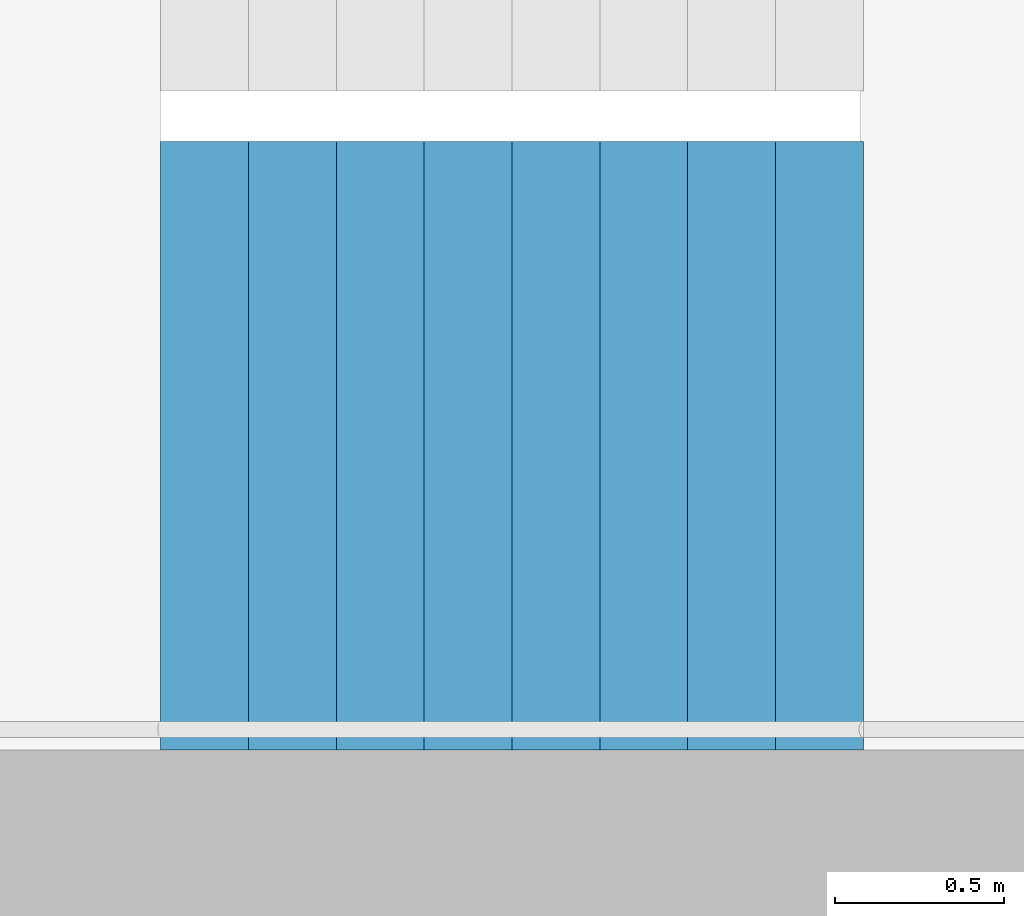
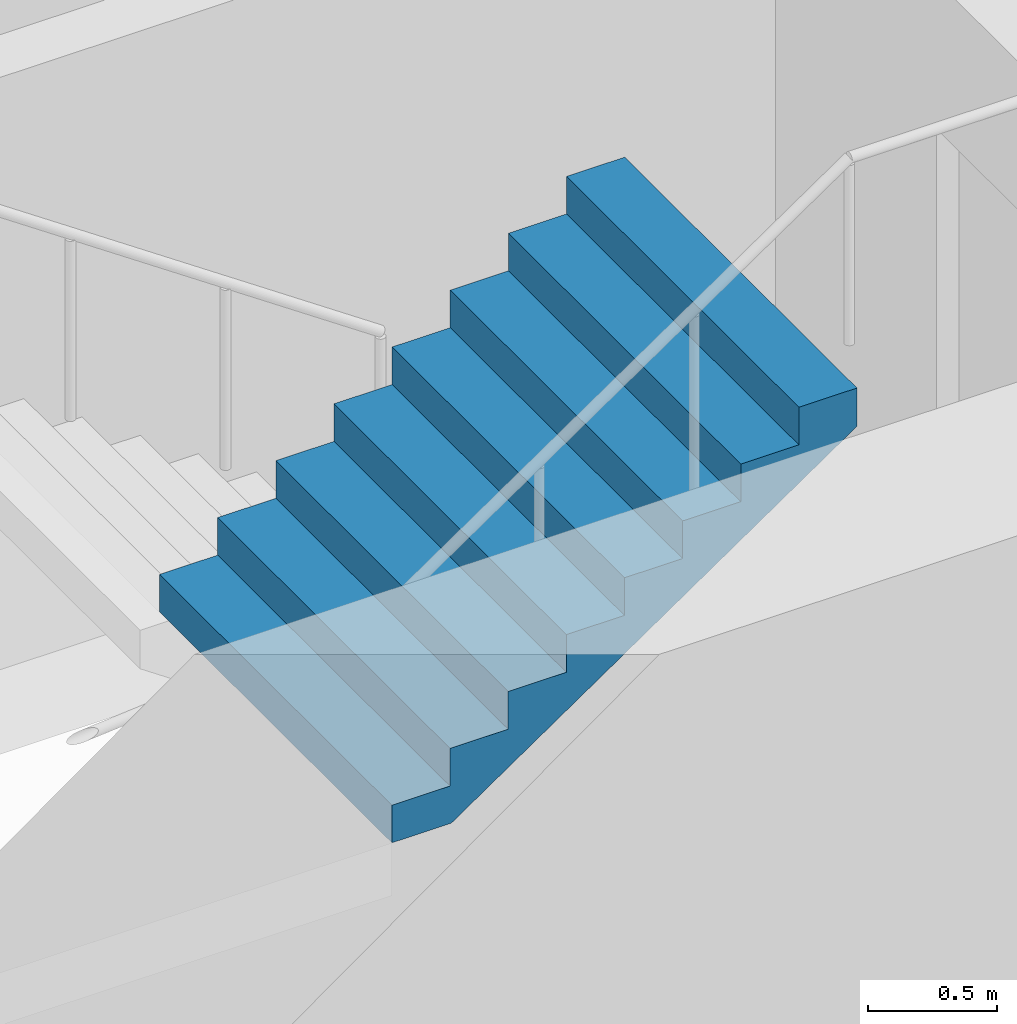
# One storey, part 21 of 29: 1 stair flight, 1 element without a shape of its own.
"""IFC4 building model written with IfcOpenShell, lengths in metres."""

from ifc_helpers import new_model, si_unit, direction, frame, origin, place, context, subcontext, project, spatial, triangles, material, type_object, element, aggregate, save


model = new_model("IFC4")

# Units and contexts
model_context = context("Model", 3, precision=1e-05, world=origin(), true_north=direction((0.0, 1.0)))
body_context = subcontext(model_context, "Body", "Model", "MODEL_VIEW")
ifc_project = project(units=[si_unit("LENGTHUNIT", "METRE"), si_unit("AREAUNIT", "SQUARE_METRE"), si_unit("VOLUMEUNIT", "CUBIC_METRE"), si_unit("PLANEANGLEUNIT", "RADIAN"), si_unit("MASSUNIT", "GRAM", prefix="KILO")], contexts=[model_context])

# Site, building, storey
site_placement = place(None, origin())
site = spatial("IfcSite", under=ifc_project, at=site_placement, CompositionType="ELEMENT")
building_placement = place(site_placement, origin())
building = spatial("IfcBuilding", under=site, at=building_placement, Name="Hakoniwa Tower and Hamabe Station Hall", CompositionType="ELEMENT")
storey_placement = place(building_placement, frame((0.0, 0.0, 101.0)))
storey = spatial("IfcBuildingStorey", under=building, at=storey_placement, Name="L28", CompositionType="ELEMENT", Elevation=101.0)

# Stair, stair flight
ifc_material_1 = material(Name="Concrete C40", Category="concrete")
stair_type = type_object("IfcStairType", Name="ESCAPE STAIR 1800", PredefinedType="HALF_TURN_STAIR", material=ifc_material_1)
stair_placement = place(storey_placement, origin())
stair = element("IfcStair", 1, at=stair_placement, inside=storey, type_object=stair_type, Name="Escape stair ST-2 L28", PredefinedType="HALF_TURN_STAIR")
ifc_material_2 = material(Name="Concrete C40", Category="concrete")
stair_flight_type = type_object("IfcStairFlightType", Name="STAIR FLIGHT 1800", PredefinedType="STRAIGHT", material=ifc_material_2)
stair_flight_placement = place(storey_placement, frame((-25.47998046875, -6.60009765625, 1.60009765625), z_axis=(0.0, 0.0, 1.0), x_axis=(1.0, 0.0, 0.0)))
stair_flight = element("IfcStairFlight", 2, at=stair_flight_placement, type_object=stair_flight_type, Name="ST-2 flight 2", NumberOfRisers=9, NumberOfTreads=8, PredefinedType="STRAIGHT", RiserHeight=0.177777778, TreadLength=0.26, context=body_context, shape_type="Tessellation", body=[
    triangles([(0.0, 0.89990234375, 0.0), (0.260009765625, 0.89990234375, 0.0), (0.265625, 0.89990234375, 0.0), (0.52001953125, 0.89990234375, 0.174072265625), (0.780029296875, 0.89990234375, 0.351806640625), (1.0400390625, 0.89990234375, 0.529541015625), (1.300048828125, 0.89990234375, 0.707275390625), (1.56005859375, 0.89990234375, 0.885009765625), (1.820068359375, 0.89990234375, 1.062744140625), (2.080078125, 0.89990234375, 1.24072265625), (2.080078125, 0.89990234375, 1.422119140625), (1.820068359375, 0.89990234375, 1.422119140625), (1.820068359375, 0.89990234375, 1.244384765625), (1.56005859375, 0.89990234375, 1.244384765625), (1.56005859375, 0.89990234375, 1.066650390625), (1.300048828125, 0.89990234375, 1.066650390625), (1.300048828125, 0.89990234375, 0.888916015625), (1.0400390625, 0.89990234375, 0.888916015625), (1.0400390625, 0.89990234375, 0.711181640625), (0.780029296875, 0.89990234375, 0.711181640625), (0.780029296875, 0.89990234375, 0.533447265625), (0.52001953125, 0.89990234375, 0.533447265625), (0.52001953125, 0.89990234375, 0.35546875), (0.265625, 0.89990234375, 0.35546875), (0.260009765625, 0.89990234375, 0.35546875), (0.260009765625, 0.89990234375, 0.177734375), (0.0, 0.89990234375, 0.177734375), (0.0, 0.06005859375, 0.0), (0.260009765625, 0.06005859375, 0.0), (0.265625, 0.06005859375, 0.0), (0.52001953125, 0.06005859375, 0.174072265625), (0.780029296875, 0.06005859375, 0.351806640625), (1.0400390625, 0.06005859375, 0.529541015625), (1.300048828125, 0.06005859375, 0.707275390625), (1.56005859375, 0.06005859375, 0.885009765625), (1.820068359375, 0.06005859375, 1.062744140625), (2.080078125, 0.06005859375, 1.24072265625), (2.080078125, 0.06005859375, 1.422119140625), (1.820068359375, 0.06005859375, 1.422119140625), (1.820068359375, 0.06005859375, 1.244384765625), (1.56005859375, 0.06005859375, 1.244384765625), (1.56005859375, 0.06005859375, 1.066650390625), (1.300048828125, 0.06005859375, 1.066650390625), (1.300048828125, 0.06005859375, 0.888916015625), (1.0400390625, 0.06005859375, 0.888916015625), (1.0400390625, 0.06005859375, 0.711181640625), (0.780029296875, 0.06005859375, 0.711181640625), (0.780029296875, 0.06005859375, 0.533447265625), (0.52001953125, 0.06005859375, 0.533447265625), (0.52001953125, 0.06005859375, 0.35546875), (0.265625, 0.06005859375, 0.35546875), (0.260009765625, 0.06005859375, 0.35546875), (0.260009765625, 0.06005859375, 0.177734375), (0.0, 0.06005859375, 0.177734375), (0.0, 0.04296875, 0.0), (0.260009765625, 0.04296875, 0.0), (0.265625, 0.04296875, 0.0), (0.52001953125, 0.04296875, 0.174072265625), (0.780029296875, 0.04296875, 0.351806640625), (1.0400390625, 0.04296875, 0.529541015625), (1.300048828125, 0.04296875, 0.707275390625), (1.56005859375, 0.04296875, 0.885009765625), (1.820068359375, 0.04296875, 1.062744140625), (2.080078125, 0.04296875, 1.24072265625), (2.080078125, 0.04296875, 1.422119140625), (1.820068359375, 0.04296875, 1.422119140625), (1.820068359375, 0.04296875, 1.244384765625), (1.56005859375, 0.04296875, 1.244384765625), (1.56005859375, 0.04296875, 1.066650390625), (1.300048828125, 0.04296875, 1.066650390625), (1.300048828125, 0.04296875, 0.888916015625), (1.0400390625, 0.04296875, 0.888916015625), (1.0400390625, 0.04296875, 0.711181640625), (0.780029296875, 0.04296875, 0.711181640625), (0.780029296875, 0.04296875, 0.533447265625), (0.52001953125, 0.04296875, 0.533447265625), (0.52001953125, 0.04296875, 0.35546875), (0.265625, 0.04296875, 0.35546875), (0.260009765625, 0.04296875, 0.35546875), (0.260009765625, 0.04296875, 0.177734375), (0.0, 0.04296875, 0.177734375), (0.0, 0.025634765625, 0.0), (0.260009765625, 0.025634765625, 0.0), (0.265625, 0.025634765625, 0.0), (0.52001953125, 0.025634765625, 0.174072265625), (0.780029296875, 0.025634765625, 0.351806640625), (1.0400390625, 0.025634765625, 0.529541015625), (1.300048828125, 0.025634765625, 0.707275390625), (1.56005859375, 0.025634765625, 0.885009765625), (1.820068359375, 0.025634765625, 1.062744140625), (2.080078125, 0.025634765625, 1.24072265625), (2.080078125, 0.025634765625, 1.422119140625), (1.820068359375, 0.025634765625, 1.422119140625), (1.820068359375, 0.025634765625, 1.244384765625), (1.56005859375, 0.025634765625, 1.244384765625), (1.56005859375, 0.025634765625, 1.066650390625), (1.300048828125, 0.025634765625, 1.066650390625), (1.300048828125, 0.025634765625, 0.888916015625), (1.0400390625, 0.025634765625, 0.888916015625), (1.0400390625, 0.025634765625, 0.711181640625), (0.780029296875, 0.025634765625, 0.711181640625), (0.780029296875, 0.025634765625, 0.533447265625), (0.52001953125, 0.025634765625, 0.533447265625), (0.52001953125, 0.025634765625, 0.35546875), (0.265625, 0.025634765625, 0.35546875), (0.260009765625, 0.025634765625, 0.35546875), (0.260009765625, 0.025634765625, 0.177734375), (0.0, 0.025634765625, 0.177734375), (0.0, 0.008544921875, 0.0), (0.260009765625, 0.008544921875, 0.0), (0.265625, 0.008544921875, 0.0), (0.52001953125, 0.008544921875, 0.174072265625), (0.780029296875, 0.008544921875, 0.351806640625), (1.0400390625, 0.008544921875, 0.529541015625), (1.300048828125, 0.008544921875, 0.707275390625), (1.56005859375, 0.008544921875, 0.885009765625), (1.820068359375, 0.008544921875, 1.062744140625), (2.080078125, 0.008544921875, 1.24072265625), (2.080078125, 0.008544921875, 1.422119140625), (1.820068359375, 0.008544921875, 1.422119140625), (1.820068359375, 0.008544921875, 1.244384765625), (1.56005859375, 0.008544921875, 1.244384765625), (1.56005859375, 0.008544921875, 1.066650390625), (1.300048828125, 0.008544921875, 1.066650390625), (1.300048828125, 0.008544921875, 0.888916015625), (1.0400390625, 0.008544921875, 0.888916015625), (1.0400390625, 0.008544921875, 0.711181640625), (0.780029296875, 0.008544921875, 0.711181640625), (0.780029296875, 0.008544921875, 0.533447265625), (0.52001953125, 0.008544921875, 0.533447265625), (0.52001953125, 0.008544921875, 0.35546875), (0.265625, 0.008544921875, 0.35546875), (0.260009765625, 0.008544921875, 0.35546875), (0.260009765625, 0.008544921875, 0.177734375), (0.0, 0.008544921875, 0.177734375), (0.0, -0.008544921875, 0.0), (0.260009765625, -0.008544921875, 0.0), (0.265625, -0.008544921875, 0.0), (0.52001953125, -0.008544921875, 0.174072265625), (0.780029296875, -0.008544921875, 0.351806640625), (1.0400390625, -0.008544921875, 0.529541015625), (1.300048828125, -0.008544921875, 0.707275390625), (1.56005859375, -0.008544921875, 0.885009765625), (1.820068359375, -0.008544921875, 1.062744140625), (2.080078125, -0.008544921875, 1.24072265625), (2.080078125, -0.008544921875, 1.422119140625), (1.820068359375, -0.008544921875, 1.422119140625), (1.820068359375, -0.008544921875, 1.244384765625), (1.56005859375, -0.008544921875, 1.244384765625), (1.56005859375, -0.008544921875, 1.066650390625), (1.300048828125, -0.008544921875, 1.066650390625), (1.300048828125, -0.008544921875, 0.888916015625), (1.0400390625, -0.008544921875, 0.888916015625), (1.0400390625, -0.008544921875, 0.711181640625), (0.780029296875, -0.008544921875, 0.711181640625), (0.780029296875, -0.008544921875, 0.533447265625), (0.52001953125, -0.008544921875, 0.533447265625), (0.52001953125, -0.008544921875, 0.35546875), (0.265625, -0.008544921875, 0.35546875), (0.260009765625, -0.008544921875, 0.35546875), (0.260009765625, -0.008544921875, 0.177734375), (0.0, -0.008544921875, 0.177734375), (0.0, -0.025634765625, 0.0), (0.260009765625, -0.025634765625, 0.0), (0.265625, -0.025634765625, 0.0), (0.52001953125, -0.025634765625, 0.174072265625), (0.780029296875, -0.025634765625, 0.351806640625), (1.0400390625, -0.025634765625, 0.529541015625), (1.300048828125, -0.025634765625, 0.707275390625), (1.56005859375, -0.025634765625, 0.885009765625), (1.820068359375, -0.025634765625, 1.062744140625), (2.080078125, -0.025634765625, 1.24072265625), (2.080078125, -0.025634765625, 1.422119140625), (1.820068359375, -0.025634765625, 1.422119140625), (1.820068359375, -0.025634765625, 1.244384765625), (1.56005859375, -0.025634765625, 1.244384765625), (1.56005859375, -0.025634765625, 1.066650390625), (1.300048828125, -0.025634765625, 1.066650390625), (1.300048828125, -0.025634765625, 0.888916015625), (1.0400390625, -0.025634765625, 0.888916015625), (1.0400390625, -0.025634765625, 0.711181640625), (0.780029296875, -0.025634765625, 0.711181640625), (0.780029296875, -0.025634765625, 0.533447265625), (0.52001953125, -0.025634765625, 0.533447265625), (0.52001953125, -0.025634765625, 0.35546875), (0.265625, -0.025634765625, 0.35546875), (0.260009765625, -0.025634765625, 0.35546875), (0.260009765625, -0.025634765625, 0.177734375), (0.0, -0.025634765625, 0.177734375), (0.0, -0.04296875, 0.0), (0.260009765625, -0.04296875, 0.0), (0.265625, -0.04296875, 0.0), (0.52001953125, -0.04296875, 0.174072265625), (0.780029296875, -0.04296875, 0.351806640625), (1.0400390625, -0.04296875, 0.529541015625), (1.300048828125, -0.04296875, 0.707275390625), (1.56005859375, -0.04296875, 0.885009765625), (1.820068359375, -0.04296875, 1.062744140625), (2.080078125, -0.04296875, 1.24072265625), (2.080078125, -0.04296875, 1.422119140625), (1.820068359375, -0.04296875, 1.422119140625), (1.820068359375, -0.04296875, 1.244384765625), (1.56005859375, -0.04296875, 1.244384765625), (1.56005859375, -0.04296875, 1.066650390625), (1.300048828125, -0.04296875, 1.066650390625), (1.300048828125, -0.04296875, 0.888916015625), (1.0400390625, -0.04296875, 0.888916015625), (1.0400390625, -0.04296875, 0.711181640625), (0.780029296875, -0.04296875, 0.711181640625), (0.780029296875, -0.04296875, 0.533447265625), (0.52001953125, -0.04296875, 0.533447265625), (0.52001953125, -0.04296875, 0.35546875), (0.265625, -0.04296875, 0.35546875), (0.260009765625, -0.04296875, 0.35546875), (0.260009765625, -0.04296875, 0.177734375), (0.0, -0.04296875, 0.177734375), (0.0, -0.06005859375, 0.0), (0.260009765625, -0.06005859375, 0.0), (0.265625, -0.06005859375, 0.0), (0.52001953125, -0.06005859375, 0.174072265625), (0.780029296875, -0.06005859375, 0.351806640625), (1.0400390625, -0.06005859375, 0.529541015625), (1.300048828125, -0.06005859375, 0.707275390625), (1.56005859375, -0.06005859375, 0.885009765625), (1.820068359375, -0.06005859375, 1.062744140625), (2.080078125, -0.06005859375, 1.24072265625), (2.080078125, -0.06005859375, 1.422119140625), (1.820068359375, -0.06005859375, 1.422119140625), (1.820068359375, -0.06005859375, 1.244384765625), (1.56005859375, -0.06005859375, 1.244384765625), (1.56005859375, -0.06005859375, 1.066650390625), (1.300048828125, -0.06005859375, 1.066650390625), (1.300048828125, -0.06005859375, 0.888916015625), (1.0400390625, -0.06005859375, 0.888916015625), (1.0400390625, -0.06005859375, 0.711181640625), (0.780029296875, -0.06005859375, 0.711181640625), (0.780029296875, -0.06005859375, 0.533447265625), (0.52001953125, -0.06005859375, 0.533447265625), (0.52001953125, -0.06005859375, 0.35546875), (0.265625, -0.06005859375, 0.35546875), (0.260009765625, -0.06005859375, 0.35546875), (0.260009765625, -0.06005859375, 0.177734375), (0.0, -0.06005859375, 0.177734375), (0.0, -0.89990234375, 0.0), (0.260009765625, -0.89990234375, 0.0), (0.265625, -0.89990234375, 0.0), (0.52001953125, -0.89990234375, 0.174072265625), (0.780029296875, -0.89990234375, 0.351806640625), (1.0400390625, -0.89990234375, 0.529541015625), (1.300048828125, -0.89990234375, 0.707275390625), (1.56005859375, -0.89990234375, 0.885009765625), (1.820068359375, -0.89990234375, 1.062744140625), (2.080078125, -0.89990234375, 1.24072265625), (2.080078125, -0.89990234375, 1.422119140625), (1.820068359375, -0.89990234375, 1.422119140625), (1.820068359375, -0.89990234375, 1.244384765625), (1.56005859375, -0.89990234375, 1.244384765625), (1.56005859375, -0.89990234375, 1.066650390625), (1.300048828125, -0.89990234375, 1.066650390625), (1.300048828125, -0.89990234375, 0.888916015625), (1.0400390625, -0.89990234375, 0.888916015625), (1.0400390625, -0.89990234375, 0.711181640625), (0.780029296875, -0.89990234375, 0.711181640625), (0.780029296875, -0.89990234375, 0.533447265625), (0.52001953125, -0.89990234375, 0.533447265625), (0.52001953125, -0.89990234375, 0.35546875), (0.265625, -0.89990234375, 0.35546875), (0.260009765625, -0.89990234375, 0.35546875), (0.260009765625, -0.89990234375, 0.177734375), (0.0, -0.89990234375, 0.177734375)], [[2, 27, 26], [245, 269, 270], [2, 1, 27], [245, 270, 244], [3, 25, 24], [246, 267, 268], [3, 26, 25], [246, 268, 269], [3, 2, 26], [246, 269, 245], [4, 24, 23], [247, 266, 267], [4, 3, 24], [247, 267, 246], [5, 22, 21], [248, 264, 265], [5, 23, 22], [248, 265, 266], [5, 4, 23], [248, 266, 247], [6, 20, 19], [249, 262, 263], [6, 21, 20], [249, 263, 264], [6, 5, 21], [249, 264, 248], [7, 18, 17], [250, 260, 261], [7, 19, 18], [250, 261, 262], [7, 6, 19], [250, 262, 249], [8, 16, 15], [251, 258, 259], [8, 17, 16], [251, 259, 260], [8, 7, 17], [251, 260, 250], [9, 14, 13], [252, 256, 257], [9, 15, 14], [252, 257, 258], [9, 8, 15], [252, 258, 251], [10, 12, 11], [253, 254, 255], [10, 13, 12], [253, 255, 256], [10, 9, 13], [253, 256, 252], [1, 2, 29], [1, 29, 28], [28, 29, 56], [28, 56, 55], [55, 56, 83], [55, 83, 82], [82, 83, 110], [82, 110, 109], [109, 110, 137], [109, 137, 136], [136, 137, 164], [136, 164, 163], [163, 164, 191], [163, 191, 190], [190, 191, 218], [190, 218, 217], [217, 218, 245], [217, 245, 244], [2, 3, 30], [2, 30, 29], [29, 30, 57], [29, 57, 56], [56, 57, 84], [56, 84, 83], [83, 84, 111], [83, 111, 110], [110, 111, 138], [110, 138, 137], [137, 138, 165], [137, 165, 164], [164, 165, 192], [164, 192, 191], [191, 192, 219], [191, 219, 218], [218, 219, 246], [218, 246, 245], [3, 4, 31], [3, 31, 30], [30, 31, 58], [30, 58, 57], [57, 58, 85], [57, 85, 84], [84, 85, 112], [84, 112, 111], [111, 112, 139], [111, 139, 138], [138, 139, 166], [138, 166, 165], [165, 166, 193], [165, 193, 192], [192, 193, 220], [192, 220, 219], [219, 220, 247], [219, 247, 246], [4, 5, 32], [4, 32, 31], [31, 32, 59], [31, 59, 58], [58, 59, 86], [58, 86, 85], [85, 86, 113], [85, 113, 112], [112, 113, 140], [112, 140, 139], [139, 140, 167], [139, 167, 166], [166, 167, 194], [166, 194, 193], [193, 194, 221], [193, 221, 220], [220, 221, 248], [220, 248, 247], [5, 6, 33], [5, 33, 32], [32, 33, 60], [32, 60, 59], [59, 60, 87], [59, 87, 86], [86, 87, 114], [86, 114, 113], [113, 114, 141], [113, 141, 140], [140, 141, 168], [140, 168, 167], [167, 168, 195], [167, 195, 194], [194, 195, 222], [194, 222, 221], [221, 222, 249], [221, 249, 248], [6, 7, 34], [6, 34, 33], [33, 34, 61], [33, 61, 60], [60, 61, 88], [60, 88, 87], [87, 88, 115], [87, 115, 114], [114, 115, 142], [114, 142, 141], [141, 142, 169], [141, 169, 168], [168, 169, 196], [168, 196, 195], [195, 196, 223], [195, 223, 222], [222, 223, 250], [222, 250, 249], [7, 8, 35], [7, 35, 34], [34, 35, 62], [34, 62, 61], [61, 62, 89], [61, 89, 88], [88, 89, 116], [88, 116, 115], [115, 116, 143], [115, 143, 142], [142, 143, 170], [142, 170, 169], [169, 170, 197], [169, 197, 196], [196, 197, 224], [196, 224, 223], [223, 224, 251], [223, 251, 250], [8, 9, 36], [8, 36, 35], [35, 36, 63], [35, 63, 62], [62, 63, 90], [62, 90, 89], [89, 90, 117], [89, 117, 116], [116, 117, 144], [116, 144, 143], [143, 144, 171], [143, 171, 170], [170, 171, 198], [170, 198, 197], [197, 198, 225], [197, 225, 224], [224, 225, 252], [224, 252, 251], [9, 10, 37], [9, 37, 36], [36, 37, 64], [36, 64, 63], [63, 64, 91], [63, 91, 90], [90, 91, 118], [90, 118, 117], [117, 118, 145], [117, 145, 144], [144, 145, 172], [144, 172, 171], [171, 172, 199], [171, 199, 198], [198, 199, 226], [198, 226, 225], [225, 226, 253], [225, 253, 252], [10, 11, 38], [10, 38, 37], [37, 38, 65], [37, 65, 64], [64, 65, 92], [64, 92, 91], [91, 92, 119], [91, 119, 118], [118, 119, 146], [118, 146, 145], [145, 146, 173], [145, 173, 172], [172, 173, 200], [172, 200, 199], [199, 200, 227], [199, 227, 226], [226, 227, 254], [226, 254, 253], [11, 12, 39], [11, 39, 38], [38, 39, 66], [38, 66, 65], [65, 66, 93], [65, 93, 92], [92, 93, 120], [92, 120, 119], [119, 120, 147], [119, 147, 146], [146, 147, 174], [146, 174, 173], [173, 174, 201], [173, 201, 200], [200, 201, 228], [200, 228, 227], [227, 228, 255], [227, 255, 254], [12, 13, 40], [12, 40, 39], [39, 40, 67], [39, 67, 66], [66, 67, 94], [66, 94, 93], [93, 94, 121], [93, 121, 120], [120, 121, 148], [120, 148, 147], [147, 148, 175], [147, 175, 174], [174, 175, 202], [174, 202, 201], [201, 202, 229], [201, 229, 228], [228, 229, 256], [228, 256, 255], [13, 14, 41], [13, 41, 40], [40, 41, 68], [40, 68, 67], [67, 68, 95], [67, 95, 94], [94, 95, 122], [94, 122, 121], [121, 122, 149], [121, 149, 148], [148, 149, 176], [148, 176, 175], [175, 176, 203], [175, 203, 202], [202, 203, 230], [202, 230, 229], [229, 230, 257], [229, 257, 256], [14, 15, 42], [14, 42, 41], [41, 42, 69], [41, 69, 68], [68, 69, 96], [68, 96, 95], [95, 96, 123], [95, 123, 122], [122, 123, 150], [122, 150, 149], [149, 150, 177], [149, 177, 176], [176, 177, 204], [176, 204, 203], [203, 204, 231], [203, 231, 230], [230, 231, 258], [230, 258, 257], [15, 16, 43], [15, 43, 42], [42, 43, 70], [42, 70, 69], [69, 70, 97], [69, 97, 96], [96, 97, 124], [96, 124, 123], [123, 124, 151], [123, 151, 150], [150, 151, 178], [150, 178, 177], [177, 178, 205], [177, 205, 204], [204, 205, 232], [204, 232, 231], [231, 232, 259], [231, 259, 258], [16, 17, 44], [16, 44, 43], [43, 44, 71], [43, 71, 70], [70, 71, 98], [70, 98, 97], [97, 98, 125], [97, 125, 124], [124, 125, 152], [124, 152, 151], [151, 152, 179], [151, 179, 178], [178, 179, 206], [178, 206, 205], [205, 206, 233], [205, 233, 232], [232, 233, 260], [232, 260, 259], [17, 18, 45], [17, 45, 44], [44, 45, 72], [44, 72, 71], [71, 72, 99], [71, 99, 98], [98, 99, 126], [98, 126, 125], [125, 126, 153], [125, 153, 152], [152, 153, 180], [152, 180, 179], [179, 180, 207], [179, 207, 206], [206, 207, 234], [206, 234, 233], [233, 234, 261], [233, 261, 260], [18, 19, 46], [18, 46, 45], [45, 46, 73], [45, 73, 72], [72, 73, 100], [72, 100, 99], [99, 100, 127], [99, 127, 126], [126, 127, 154], [126, 154, 153], [153, 154, 181], [153, 181, 180], [180, 181, 208], [180, 208, 207], [207, 208, 235], [207, 235, 234], [234, 235, 262], [234, 262, 261], [19, 20, 47], [19, 47, 46], [46, 47, 74], [46, 74, 73], [73, 74, 101], [73, 101, 100], [100, 101, 128], [100, 128, 127], [127, 128, 155], [127, 155, 154], [154, 155, 182], [154, 182, 181], [181, 182, 209], [181, 209, 208], [208, 209, 236], [208, 236, 235], [235, 236, 263], [235, 263, 262], [20, 21, 48], [20, 48, 47], [47, 48, 75], [47, 75, 74], [74, 75, 102], [74, 102, 101], [101, 102, 129], [101, 129, 128], [128, 129, 156], [128, 156, 155], [155, 156, 183], [155, 183, 182], [182, 183, 210], [182, 210, 209], [209, 210, 237], [209, 237, 236], [236, 237, 264], [236, 264, 263], [21, 22, 49], [21, 49, 48], [48, 49, 76], [48, 76, 75], [75, 76, 103], [75, 103, 102], [102, 103, 130], [102, 130, 129], [129, 130, 157], [129, 157, 156], [156, 157, 184], [156, 184, 183], [183, 184, 211], [183, 211, 210], [210, 211, 238], [210, 238, 237], [237, 238, 265], [237, 265, 264], [22, 23, 50], [22, 50, 49], [49, 50, 77], [49, 77, 76], [76, 77, 104], [76, 104, 103], [103, 104, 131], [103, 131, 130], [130, 131, 158], [130, 158, 157], [157, 158, 185], [157, 185, 184], [184, 185, 212], [184, 212, 211], [211, 212, 239], [211, 239, 238], [238, 239, 266], [238, 266, 265], [23, 24, 51], [23, 51, 50], [50, 51, 78], [50, 78, 77], [77, 78, 105], [77, 105, 104], [104, 105, 132], [104, 132, 131], [131, 132, 159], [131, 159, 158], [158, 159, 186], [158, 186, 185], [185, 186, 213], [185, 213, 212], [212, 213, 240], [212, 240, 239], [239, 240, 267], [239, 267, 266], [24, 25, 52], [24, 52, 51], [51, 52, 79], [51, 79, 78], [78, 79, 106], [78, 106, 105], [105, 106, 133], [105, 133, 132], [132, 133, 160], [132, 160, 159], [159, 160, 187], [159, 187, 186], [186, 187, 214], [186, 214, 213], [213, 214, 241], [213, 241, 240], [240, 241, 268], [240, 268, 267], [25, 26, 53], [25, 53, 52], [52, 53, 80], [52, 80, 79], [79, 80, 107], [79, 107, 106], [106, 107, 134], [106, 134, 133], [133, 134, 161], [133, 161, 160], [160, 161, 188], [160, 188, 187], [187, 188, 215], [187, 215, 214], [214, 215, 242], [214, 242, 241], [241, 242, 269], [241, 269, 268], [26, 27, 54], [26, 54, 53], [53, 54, 81], [53, 81, 80], [80, 81, 108], [80, 108, 107], [107, 108, 135], [107, 135, 134], [134, 135, 162], [134, 162, 161], [161, 162, 189], [161, 189, 188], [188, 189, 216], [188, 216, 215], [215, 216, 243], [215, 243, 242], [242, 243, 270], [242, 270, 269], [27, 1, 28], [27, 28, 54], [54, 28, 55], [54, 55, 81], [81, 55, 82], [81, 82, 108], [108, 82, 109], [108, 109, 135], [135, 109, 136], [135, 136, 162], [162, 136, 163], [162, 163, 189], [189, 163, 190], [189, 190, 216], [216, 190, 217], [216, 217, 243], [243, 217, 244], [243, 244, 270]], closed=True),
])
aggregate(stair, [stair_flight])

save(model, "model.ifc")
